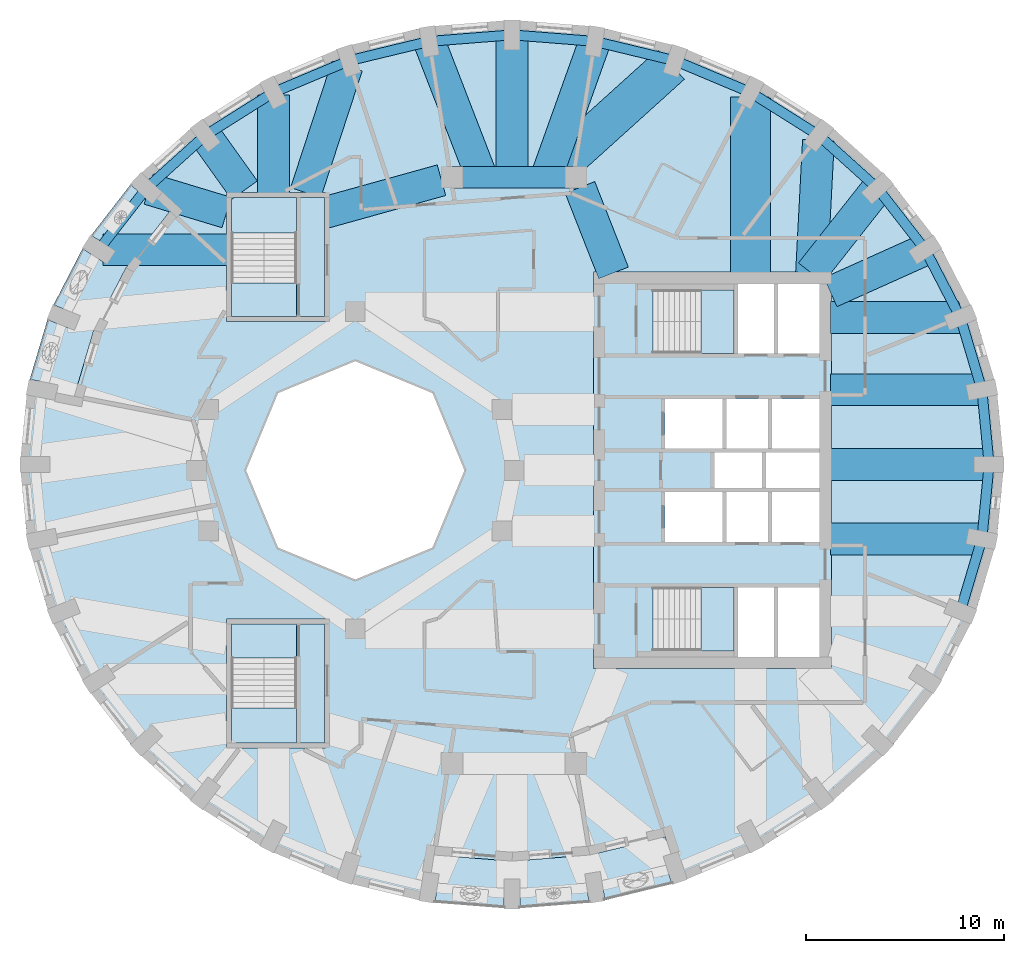
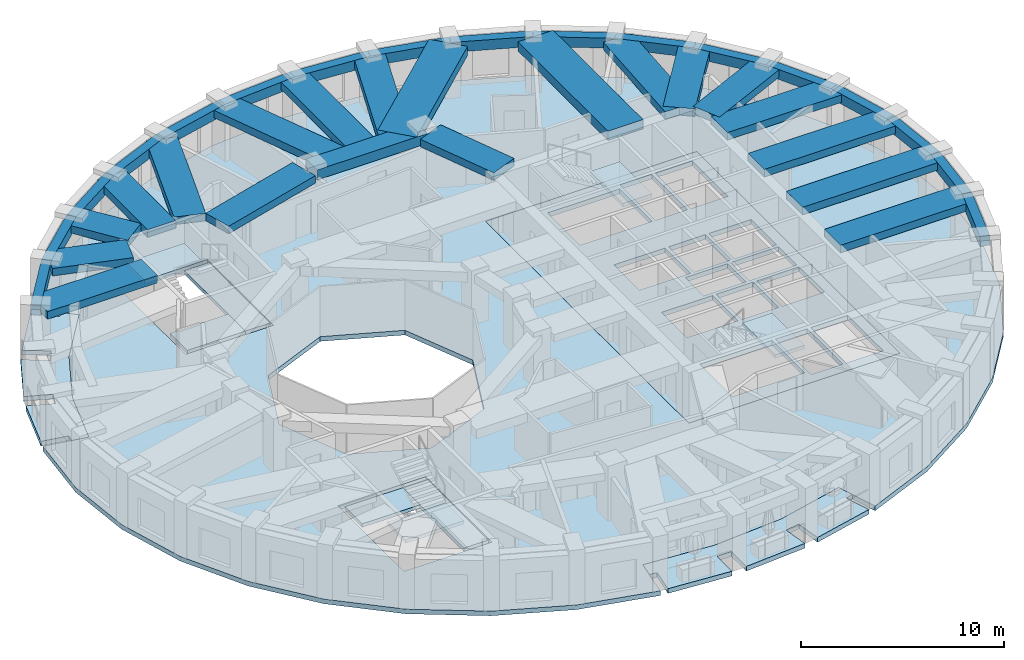
# One storey, part 2 of 12: 37 beams, 12 slabs, 4 elements without a shape of their own.
"""IFC4 building model written with IfcOpenShell, lengths in metres."""

from ifc_helpers import new_model, si_unit, direction, frame, origin, origin_2d, place, context, subcontext, project, spatial, polyline, rectangle, outline, extrude, material, layer, layer_set, material_profile, profile_set, type_object, element, aggregate, save


model = new_model("IFC4")

# Units and contexts
model_context = context("Model", 3, precision=1e-05, world=origin(), true_north=direction((0.0, 1.0)))
body_context = subcontext(model_context, "Body", "Model", "MODEL_VIEW")
ifc_project = project(units=[si_unit("LENGTHUNIT", "METRE"), si_unit("AREAUNIT", "SQUARE_METRE"), si_unit("VOLUMEUNIT", "CUBIC_METRE"), si_unit("PLANEANGLEUNIT", "RADIAN"), si_unit("MASSUNIT", "GRAM", prefix="KILO")], contexts=[model_context])

# Site, building, storey
site_placement = place(None, origin())
site = spatial("IfcSite", under=ifc_project, at=site_placement, CompositionType="ELEMENT")
building_placement = place(site_placement, origin())
building = spatial("IfcBuilding", under=site, at=building_placement, Name="Taillehof Tower", CompositionType="ELEMENT")
storey_placement = place(building_placement, frame((0.0, 0.0, 246.5)))
storey = spatial("IfcBuildingStorey", under=building, at=storey_placement, Name="L70", CompositionType="ELEMENT", Elevation=246.5)

# Beams
ifc_material_1 = material(Name="Concrete C50/60", Category="concrete")
ifc_material_profile_1 = material_profile(ifc_material_1, rectangle(XDim=1.10009765625, YDim=0.60009765625, at=origin_2d()), Name="RC 1100x600")
ifc_profile_set_1 = profile_set([ifc_material_profile_1], Name="Concrete C50/60")
beam_type_1 = type_object("IfcBeamType", Name="Mid-ring beam C50/60 1100x600", PredefinedType="BEAM", material=ifc_profile_set_1)
beam_1_placement = place(storey_placement, frame((3.125732421875, 14.772216796875, 2.719970703125), z_axis=(-1.0, 0.0, 0.0), x_axis=(0.0, -1.0, 0.0)))
element("IfcBeam", 1, at=beam_1_placement, inside=storey, type_object=beam_type_1, Name="Mid-ring beam MB01", PredefinedType="BEAM", context=body_context, shape_type="SweptSolid", body=[
    extrude(rectangle(XDim=1.10009765625, YDim=0.60009765625, at=origin_2d()), origin(), (0.0, 0.0, 1.0), 6.25146484375),
])
ifc_material_2 = material(Name="Concrete C50/60", Category="concrete")
ifc_material_profile_2 = material_profile(ifc_material_2, rectangle(XDim=1.60009765625, YDim=0.449951171875, at=origin_2d()), Name="RC 1600x450")
ifc_profile_set_2 = profile_set([ifc_material_profile_2], Name="Concrete C50/60")
beam_type_2 = type_object("IfcBeamType", Name="Radial band beam C50/60 1600x450", PredefinedType="BEAM", material=ifc_profile_set_2)
beam_2_placement = place(storey_placement, frame((23.949951171875, 0.300048828125, 2.794921875), z_axis=(-1.0, 0.0, 0.0), x_axis=(0.0, -1.0, 0.0)))
element("IfcBeam", 2, at=beam_2_placement, inside=storey, type_object=beam_type_2, Name="Radial band beam RB01", PredefinedType="BEAM", context=body_context, shape_type="SweptSolid", body=[
    extrude(rectangle(XDim=1.60009765625, YDim=0.449951171875, at=origin_2d()), origin(), (0.0, 0.0, 1.0), 8.0),
])
beam_3_placement = place(storey_placement, frame((23.584716796875, 4.0595703125, 2.794921875), z_axis=(-1.0, 0.0, 0.0), x_axis=(0.0, -1.0, 0.0)))
element("IfcBeam", 3, at=beam_3_placement, inside=storey, type_object=beam_type_2, Name="Radial band beam RB02", PredefinedType="BEAM", context=body_context, shape_type="SweptSolid", body=[
    extrude(rectangle(XDim=1.60009765625, YDim=0.449951171875, at=origin_2d()), origin(), (0.0, 0.0, 1.0), 7.634765625),
])
beam_4_placement = place(storey_placement, frame((22.44580078125, 7.704833984375, 2.794921875), z_axis=(-1.0, 0.0, 0.0), x_axis=(0.0, -1.0, 0.0)))
element("IfcBeam", 4, at=beam_4_placement, inside=storey, type_object=beam_type_2, Name="Radial band beam RB03", PredefinedType="BEAM", context=body_context, shape_type="SweptSolid", body=[
    extrude(rectangle(XDim=1.60009765625, YDim=0.449951171875, at=origin_2d()), origin(), (0.0, 0.0, 1.0), 6.495849609375),
])
beam_5_placement = place(storey_placement, frame((20.72802734375, 11.125, 2.794921875), z_axis=(-0.912110813011, -0.409943733685, 0.0), x_axis=(0.409943733685, -0.912110813011, 0.0)))
element("IfcBeam", 5, at=beam_5_placement, inside=storey, type_object=beam_type_2, Name="Radial band beam RB04", PredefinedType="BEAM", context=body_context, shape_type="SweptSolid", body=[
    extrude(rectangle(XDim=1.60009765625, YDim=0.449951171875, at=origin_2d()), origin(), (0.0, 0.0, 1.0), 5.233642578125),
])
beam_6_placement = place(storey_placement, frame((18.323486328125, 14.21630859375, 2.794921875), z_axis=(-0.619052480422, -0.785349620541, 0.0), x_axis=(0.785349620541, -0.619052480422, 0.0)))
element("IfcBeam", 6, at=beam_6_placement, inside=storey, type_object=beam_type_2, Name="Radial band beam RB05", PredefinedType="BEAM", context=body_context, shape_type="SweptSolid", body=[
    extrude(rectangle(XDim=1.60009765625, YDim=0.449951171875, at=origin_2d()), origin(), (0.0, 0.0, 1.0), 5.418701171875),
])
beam_7_placement = place(storey_placement, frame((15.3466796875, 16.645751953125, 2.794921875), z_axis=(-0.052105887855, -0.998641565553, 0.0), x_axis=(0.998641565553, -0.052105887855, 0.0)))
element("IfcBeam", 7, at=beam_7_placement, inside=storey, type_object=beam_type_2, Name="Radial band beam RB06", PredefinedType="BEAM", context=body_context, shape_type="SweptSolid", body=[
    extrude(rectangle(XDim=1.60009765625, YDim=0.449951171875, at=origin_2d()), origin(), (0.0, 0.0, 1.0), 6.704833984375),
])
beam_8_placement = place(storey_placement, frame((4.076171875, 21.62109375, 2.794921875), z_axis=(-0.33687426523, -0.941549642571, 0.0), x_axis=(0.941549642571, -0.33687426523, 0.0)))
element("IfcBeam", 8, at=beam_8_placement, inside=storey, type_object=beam_type_2, Name="Radial band beam RB09", PredefinedType="BEAM", context=body_context, shape_type="SweptSolid", body=[
    extrude(rectangle(XDim=1.60009765625, YDim=0.449951171875, at=origin_2d()), origin(), (0.0, 0.0, 1.0), 7.27392578125),
])
beam_9_placement = place(storey_placement, frame((-0.10009765625, 21.949951171875, 2.794921875), z_axis=(0.0, -1.0, 0.0), x_axis=(1.0, 0.0, 0.0)))
element("IfcBeam", 9, at=beam_9_placement, inside=storey, type_object=beam_type_2, Name="Radial band beam RB10", PredefinedType="BEAM", context=body_context, shape_type="SweptSolid", body=[
    extrude(rectangle(XDim=1.60009765625, YDim=0.449951171875, at=origin_2d()), origin(), (0.0, 0.0, 1.0), 7.177734375),
])
beam_10_placement = place(storey_placement, frame((-4.276123046875, 21.62109375, 2.794921875), z_axis=(0.360900836016, -0.932604196089, 0.0), x_axis=(0.932604196089, 0.360900836016, 0.0)))
element("IfcBeam", 10, at=beam_10_placement, inside=storey, type_object=beam_type_2, Name="Radial band beam RB11", PredefinedType="BEAM", context=body_context, shape_type="SweptSolid", body=[
    extrude(rectangle(XDim=1.60009765625, YDim=0.449951171875, at=origin_2d()), origin(), (0.0, 0.0, 1.0), 7.34375),
])
beam_11_placement = place(storey_placement, frame((-8.41162109375, 20.38134765625, 2.794921875), z_axis=(-0.311042642597, -0.950395956687, 0.0), x_axis=(0.950395956687, -0.311042642597, 0.0)))
element("IfcBeam", 11, at=beam_11_placement, inside=storey, type_object=beam_type_2, Name="Radial band beam RB12", PredefinedType="BEAM", context=body_context, shape_type="SweptSolid", body=[
    extrude(rectangle(XDim=1.60009765625, YDim=0.449951171875, at=origin_2d()), origin(), (0.0, 0.0, 1.0), 6.715576171875),
])
beam_12_placement = place(storey_placement, frame((-12.125, 18.91552734375, 2.794921875), z_axis=(0.0, -1.0, 0.0), x_axis=(1.0, 0.0, 0.0)))
element("IfcBeam", 12, at=beam_12_placement, inside=storey, type_object=beam_type_2, Name="Radial band beam RB13", PredefinedType="BEAM", context=body_context, shape_type="SweptSolid", body=[
    extrude(rectangle(XDim=1.60009765625, YDim=0.449951171875, at=origin_2d()), origin(), (0.0, 0.0, 1.0), 4.965576171875),
])
beam_13_placement = place(storey_placement, frame((-15.55908203125, 16.884765625, 2.794921875), z_axis=(0.580959197129, -0.813932682272, 0.0), x_axis=(0.813932682272, 0.580959197129, 0.0)))
element("IfcBeam", 13, at=beam_13_placement, inside=storey, type_object=beam_type_2, Name="Radial band beam RB14", PredefinedType="BEAM", context=body_context, shape_type="SweptSolid", body=[
    extrude(rectangle(XDim=1.60009765625, YDim=0.449951171875, at=origin_2d()), origin(), (0.0, 0.0, 1.0), 3.394287109375),
])
beam_14_placement = place(storey_placement, frame((-18.413818359375, 14.18310546875, 2.794921875), z_axis=(0.957221394865, -0.289356529584, 0.0), x_axis=(0.289356529584, 0.957221394865, 0.0)))
element("IfcBeam", 14, at=beam_14_placement, inside=storey, type_object=beam_type_2, Name="Radial band beam RB15", PredefinedType="BEAM", context=body_context, shape_type="SweptSolid", body=[
    extrude(rectangle(XDim=1.60009765625, YDim=0.449951171875, at=origin_2d()), origin(), (0.0, 0.0, 1.0), 4.102294921875),
])
beam_15_placement = place(storey_placement, frame((-20.7119140625, 11.125, 2.794921875), z_axis=(1.0, 0.0, 0.0), x_axis=(0.0, 1.0, 0.0)))
element("IfcBeam", 15, at=beam_15_placement, inside=storey, type_object=beam_type_2, Name="Radial band beam RB16", PredefinedType="BEAM", context=body_context, shape_type="SweptSolid", body=[
    extrude(rectangle(XDim=1.60009765625, YDim=0.449951171875, at=origin_2d()), origin(), (0.0, 0.0, 1.0), 6.261962890625),
])
beam_16_placement = place(storey_placement, frame((23.584716796875, -3.45947265625, 2.794921875), z_axis=(-1.0, 0.0, 0.0), x_axis=(0.0, -1.0, 0.0)))
element("IfcBeam", 16, at=beam_16_placement, inside=storey, type_object=beam_type_2, Name="Radial band beam RB36", PredefinedType="BEAM", context=body_context, shape_type="SweptSolid", body=[
    extrude(rectangle(XDim=1.60009765625, YDim=0.449951171875, at=origin_2d()), origin(), (0.0, 0.0, 1.0), 7.634765625),
])
beam_17_placement = place(storey_placement, frame((3.32666015625, 14.26025390625, 2.794921875), z_axis=(0.365588707223, -0.930776502255, 0.0), x_axis=(0.930776502255, 0.365588707223, 0.0)))
element("IfcBeam", 17, at=beam_17_placement, inside=storey, type_object=beam_type_2, Name="Inner band beam IB205", PredefinedType="BEAM", context=body_context, shape_type="SweptSolid", body=[
    extrude(rectangle(XDim=1.60009765625, YDim=0.449951171875, at=origin_2d()), origin(), (0.0, 0.0, 1.0), 4.627197265625),
])
beam_18_placement = place(storey_placement, frame((-3.655517578125, 14.624755859375, 2.794921875), z_axis=(-0.963459369536, -0.267854518821, 0.0), x_axis=(0.267854518821, -0.963459369536, 0.0)))
element("IfcBeam", 18, at=beam_18_placement, inside=storey, type_object=beam_type_2, Name="Inner band beam IB206", PredefinedType="BEAM", context=body_context, shape_type="SweptSolid", body=[
    extrude(rectangle(XDim=1.60009765625, YDim=0.449951171875, at=origin_2d()), origin(), (0.0, 0.0, 1.0), 6.096923828125),
])
ifc_material_3 = material(Name="Concrete C50/60", Category="concrete")
ifc_material_profile_3 = material_profile(ifc_material_3, rectangle(XDim=2.0, YDim=0.550048828125, at=origin_2d()), Name="RC 2000x550")
ifc_profile_set_3 = profile_set([ifc_material_profile_3], Name="Concrete C50/60")
beam_type_3 = type_object("IfcBeamType", Name="Radial band beam C50/60 2000x550", PredefinedType="BEAM", material=ifc_profile_set_3)
beam_19_placement = place(storey_placement, frame((11.925048828125, 18.8115234375, 2.7451171875), z_axis=(0.0, -1.0, 0.0), x_axis=(1.0, 0.0, 0.0)))
element("IfcBeam", 19, at=beam_19_placement, inside=storey, type_object=beam_type_3, Name="Radial band beam RB07", PredefinedType="BEAM", context=body_context, shape_type="SweptSolid", body=[
    extrude(rectangle(XDim=2.0, YDim=0.550048828125, at=origin_2d()), origin(), (0.0, 0.0, 1.0), 8.861572265625),
])
beam_20_placement = place(storey_placement, frame((7.9150390625, 20.4541015625, 2.7451171875), z_axis=(-0.742031364941, -0.670365164253, 0.0), x_axis=(0.670365164253, -0.742031364941, 0.0)))
element("IfcBeam", 20, at=beam_20_placement, inside=storey, type_object=beam_type_3, Name="Radial band beam RB08", PredefinedType="BEAM", context=body_context, shape_type="SweptSolid", body=[
    extrude(rectangle(XDim=2.0, YDim=0.550048828125, at=origin_2d()), origin(), (0.0, 0.0, 1.0), 8.189453125),
])
ifc_material_4 = material(Name="Concrete C50/60", Category="concrete")
ifc_material_profile_4 = material_profile(ifc_material_4, rectangle(XDim=0.5, YDim=0.60009765625, at=origin_2d()), Name="RC 500x600")
ifc_profile_set_4 = profile_set([ifc_material_profile_4], Name="Concrete C50/60")
beam_type_4 = type_object("IfcBeamType", Name="Spandrel beam C50/60 500x600", PredefinedType="SPANDREL", material=ifc_profile_set_4)
beam_21_placement = place(storey_placement, frame((23.949951171875, 0.300048828125, 2.719970703125), z_axis=(-0.096693940319, 0.995314162416, 0.0), x_axis=(-0.995314162416, -0.096693940319, 0.0)))
element("IfcBeam", 21, at=beam_21_placement, inside=storey, type_object=beam_type_4, Name="Spandrel beam SB01", PredefinedType="SPANDREL", context=body_context, shape_type="SweptSolid", body=[
    extrude(rectangle(XDim=0.5, YDim=0.60009765625, at=origin_2d()), origin(), (0.0, 0.0, 1.0), 3.777099609375),
])
beam_22_placement = place(storey_placement, frame((23.584716796875, 4.0595703125, 2.719970703125), z_axis=(-0.285327303248, 0.95843013831, 0.0), x_axis=(-0.95843013831, -0.285327303248, 0.0)))
element("IfcBeam", 22, at=beam_22_placement, inside=storey, type_object=beam_type_4, Name="Spandrel beam SB02", PredefinedType="SPANDREL", context=body_context, shape_type="SweptSolid", body=[
    extrude(rectangle(XDim=0.5, YDim=0.60009765625, at=origin_2d()), origin(), (0.0, 0.0, 1.0), 3.803466796875),
])
beam_23_placement = place(storey_placement, frame((22.49951171875, 7.704833984375, 2.719970703125), z_axis=(-0.45992118545, 0.887959741865, 0.0), x_axis=(-0.887959741865, -0.45992118545, 0.0)))
element("IfcBeam", 23, at=beam_23_placement, inside=storey, type_object=beam_type_4, Name="Spandrel beam SB03", PredefinedType="SPANDREL", context=body_context, shape_type="SweptSolid", body=[
    extrude(rectangle(XDim=0.5, YDim=0.60009765625, at=origin_2d()), origin(), (0.0, 0.0, 1.0), 3.851806640625),
])
beam_24_placement = place(storey_placement, frame((20.72802734375, 11.125, 2.719970703125), z_axis=(-0.613970823209, 0.78932872002, 0.0), x_axis=(-0.78932872002, -0.613970823209, 0.0)))
element("IfcBeam", 24, at=beam_24_placement, inside=storey, type_object=beam_type_4, Name="Spandrel beam SB04", PredefinedType="SPANDREL", context=body_context, shape_type="SweptSolid", body=[
    extrude(rectangle(XDim=0.5, YDim=0.60009765625, at=origin_2d()), origin(), (0.0, 0.0, 1.0), 3.916259765625),
])
beam_25_placement = place(storey_placement, frame((18.323486328125, 14.21630859375, 2.719970703125), z_axis=(-0.743227182134, 0.669039128704, 0.0), x_axis=(-0.669039128704, -0.743227182134, 0.0)))
element("IfcBeam", 25, at=beam_25_placement, inside=storey, type_object=beam_type_4, Name="Spandrel beam SB05", PredefinedType="SPANDREL", context=body_context, shape_type="SweptSolid", body=[
    extrude(rectangle(XDim=0.5, YDim=0.60009765625, at=origin_2d()), origin(), (0.0, 0.0, 1.0), 3.988525390625),
])
beam_26_placement = place(storey_placement, frame((15.359130859375, 16.884765625, 2.719970703125), z_axis=(-0.845944476237, 0.5332709847, 0.0), x_axis=(-0.5332709847, -0.845944476237, 0.0)))
element("IfcBeam", 26, at=beam_26_placement, inside=storey, type_object=beam_type_4, Name="Spandrel beam SB06", PredefinedType="SPANDREL", context=body_context, shape_type="SweptSolid", body=[
    extrude(rectangle(XDim=0.5, YDim=0.60009765625, at=origin_2d()), origin(), (0.0, 0.0, 1.0), 4.0595703125),
])
beam_27_placement = place(storey_placement, frame((11.925048828125, 19.049560546875, 2.719970703125), z_axis=(-0.922076419735, 0.387007850267, 0.0), x_axis=(-0.387007850267, -0.922076419735, 0.0)))
element("IfcBeam", 27, at=beam_27_placement, inside=storey, type_object=beam_type_4, Name="Spandrel beam SB07", PredefinedType="SPANDREL", context=body_context, shape_type="SweptSolid", body=[
    extrude(rectangle(XDim=0.5, YDim=0.60009765625, at=origin_2d()), origin(), (0.0, 0.0, 1.0), 4.12060546875),
])
beam_28_placement = place(storey_placement, frame((8.12548828125, 20.644287109375, 2.719970703125), z_axis=(-0.972115850295, 0.234501116425, 0.0), x_axis=(-0.234501116425, -0.972115850295, 0.0)))
element("IfcBeam", 28, at=beam_28_placement, inside=storey, type_object=beam_type_4, Name="Spandrel beam SB08", PredefinedType="SPANDREL", context=body_context, shape_type="SweptSolid", body=[
    extrude(rectangle(XDim=0.5, YDim=0.60009765625, at=origin_2d()), origin(), (0.0, 0.0, 1.0), 4.16552734375),
])
beam_29_placement = place(storey_placement, frame((4.076171875, 21.62109375, 2.719970703125), z_axis=(-0.996914011582, 0.078501296247, 0.0), x_axis=(-0.078501296247, -0.996914011582, 0.0)))
element("IfcBeam", 29, at=beam_29_placement, inside=storey, type_object=beam_type_4, Name="Spandrel beam SB09", PredefinedType="SPANDREL", context=body_context, shape_type="SweptSolid", body=[
    extrude(rectangle(XDim=0.5, YDim=0.60009765625, at=origin_2d()), origin(), (0.0, 0.0, 1.0), 4.189208984375),
])
beam_30_placement = place(storey_placement, frame((-0.10009765625, 21.949951171875, 2.719970703125), z_axis=(-0.996913652411, -0.07850585734, 0.0), x_axis=(0.07850585734, -0.996913652411, 0.0)))
element("IfcBeam", 30, at=beam_30_placement, inside=storey, type_object=beam_type_4, Name="Spandrel beam SB10", PredefinedType="SPANDREL", context=body_context, shape_type="SweptSolid", body=[
    extrude(rectangle(XDim=0.5, YDim=0.60009765625, at=origin_2d()), origin(), (0.0, 0.0, 1.0), 4.18896484375),
])
beam_31_placement = place(storey_placement, frame((-4.276123046875, 21.62109375, 2.719970703125), z_axis=(-0.972119073064, -0.234487756154, 0.0), x_axis=(0.234487756154, -0.972119073064, 0.0)))
element("IfcBeam", 31, at=beam_31_placement, inside=storey, type_object=beam_type_4, Name="Spandrel beam SB11", PredefinedType="SPANDREL", context=body_context, shape_type="SweptSolid", body=[
    extrude(rectangle(XDim=0.5, YDim=0.60009765625, at=origin_2d()), origin(), (0.0, 0.0, 1.0), 4.165771484375),
])
beam_32_placement = place(storey_placement, frame((-8.32568359375, 20.644287109375, 2.719970703125), z_axis=(-0.922067545136, -0.387028994013, 0.0), x_axis=(0.387028994013, -0.922067545136, 0.0)))
element("IfcBeam", 32, at=beam_32_placement, inside=storey, type_object=beam_type_4, Name="Spandrel beam SB12", PredefinedType="SPANDREL", context=body_context, shape_type="SweptSolid", body=[
    extrude(rectangle(XDim=0.5, YDim=0.60009765625, at=origin_2d()), origin(), (0.0, 0.0, 1.0), 4.120361328125),
])
beam_33_placement = place(storey_placement, frame((-12.125, 19.049560546875, 2.719970703125), z_axis=(-0.845944476237, -0.5332709847, 0.0), x_axis=(0.5332709847, -0.845944476237, 0.0)))
element("IfcBeam", 33, at=beam_33_placement, inside=storey, type_object=beam_type_4, Name="Spandrel beam SB13", PredefinedType="SPANDREL", context=body_context, shape_type="SweptSolid", body=[
    extrude(rectangle(XDim=0.5, YDim=0.60009765625, at=origin_2d()), origin(), (0.0, 0.0, 1.0), 4.0595703125),
])
beam_34_placement = place(storey_placement, frame((-15.55908203125, 16.884765625, 2.719970703125), z_axis=(-0.743227182134, -0.669039128704, 0.0), x_axis=(0.669039128704, -0.743227182134, 0.0)))
element("IfcBeam", 34, at=beam_34_placement, inside=storey, type_object=beam_type_4, Name="Spandrel beam SB14", PredefinedType="SPANDREL", context=body_context, shape_type="SweptSolid", body=[
    extrude(rectangle(XDim=0.5, YDim=0.60009765625, at=origin_2d()), origin(), (0.0, 0.0, 1.0), 3.988525390625),
])
beam_35_placement = place(storey_placement, frame((-18.5234375, 14.21630859375, 2.719970703125), z_axis=(-0.613970823209, -0.78932872002, 0.0), x_axis=(0.78932872002, -0.613970823209, 0.0)))
element("IfcBeam", 35, at=beam_35_placement, inside=storey, type_object=beam_type_4, Name="Spandrel beam SB15", PredefinedType="SPANDREL", context=body_context, shape_type="SweptSolid", body=[
    extrude(rectangle(XDim=0.5, YDim=0.60009765625, at=origin_2d()), origin(), (0.0, 0.0, 1.0), 3.916259765625),
])
beam_36_placement = place(storey_placement, frame((22.49951171875, -7.104736328125, 2.719970703125), z_axis=(0.285327303248, 0.95843013831, 0.0), x_axis=(-0.95843013831, 0.285327303248, 0.0)))
element("IfcBeam", 36, at=beam_36_placement, inside=storey, type_object=beam_type_4, Name="Spandrel beam SB35", PredefinedType="SPANDREL", context=body_context, shape_type="SweptSolid", body=[
    extrude(rectangle(XDim=0.5, YDim=0.60009765625, at=origin_2d()), origin(), (0.0, 0.0, 1.0), 3.803466796875),
])
beam_37_placement = place(storey_placement, frame((23.584716796875, -3.45947265625, 2.719970703125), z_axis=(0.096693940319, 0.995314162416, 0.0), x_axis=(-0.995314162416, 0.096693940319, 0.0)))
element("IfcBeam", 37, at=beam_37_placement, inside=storey, type_object=beam_type_4, Name="Spandrel beam SB36", PredefinedType="SPANDREL", context=body_context, shape_type="SweptSolid", body=[
    extrude(rectangle(XDim=0.5, YDim=0.60009765625, at=origin_2d()), origin(), (0.0, 0.0, 1.0), 3.777099609375),
])

# Slabs
ifc_material_5 = material(Name="Concrete C40/50", Category="concrete")
ifc_layer_1 = layer(ifc_material_5, 0.280029296875)
ifc_layer_set_1 = layer_set([ifc_layer_1], Name="Balcony slab 280")
slab_type_1 = type_object("IfcSlabType", Name="Balcony slab 280", PredefinedType="USERDEFINED", material=ifc_layer_set_1)
slab_1_placement = place(storey_placement, frame((0.0, 0.0, -0.280029296875)))
element("IfcSlab", 38, at=slab_1_placement, inside=storey, type_object=slab_type_1, Name="Balcony L70 pocket 8", ObjectType="BALCONY", PredefinedType="USERDEFINED", context=body_context, shape_type="SweptSolid", body=[
    extrude(outline(polyline([(7.632568359375, -18.46923828125), (7.913818359375, -19.324462890625), (7.511474609375, -19.456787109375), (7.968994140625, -20.84912109375), (4.584228515625, -21.668212890625), (4.353271484375, -20.217529296875), (3.563232421875, -20.34326171875), (3.7939453125, -21.792236328125), (0.300048828125, -22.068359375), (0.300048828125, -20.60009765625), (-0.5, -20.60009765625), (-0.5, -22.068359375), (-3.994140625, -21.792236328125), (-3.76318359375, -20.34326171875), (-4.170654296875, -20.278564453125), (-4.029052734375, -19.3896484375), (-0.10009765625, -19.699951171875), (3.8291015625, -19.3896484375), (7.632568359375, -18.46923828125)])), origin(), (0.0, 0.0, 1.0), 0.280029296875),
])
slab_2_placement = place(storey_placement, frame((0.0, 0.0, -0.280029296875)))
element("IfcSlab", 39, at=slab_2_placement, inside=storey, type_object=slab_type_1, Name="Balcony L70 pocket 4", ObjectType="BALCONY", PredefinedType="USERDEFINED", context=body_context, shape_type="SweptSolid", body=[
    extrude(outline(polyline([(-22.167724609375, 3.72998046875), (-23.051025390625, 3.90234375), (-22.971923828125, 4.308349609375), (-24.405029296875, 4.588134765625), (-23.511474609375, 7.6005859375), (-22.153564453125, 7.053466796875), (-21.8544921875, 7.79541015625), (-23.208251953125, 8.341064453125), (-21.74609375, 11.17333984375), (-20.511474609375, 10.384033203125), (-20.08056640625, 11.05810546875), (-21.310546875, 11.84423828125), (-19.320556640625, 14.4111328125), (-18.24609375, 13.412841796875), (-17.999755859375, 13.67822265625), (-17.339599609375, 13.06494140625), (-19.55517578125, 10.20751953125), (-21.17822265625, 7.064208984375), (-22.167724609375, 3.72998046875)])), origin(), (0.0, 0.0, 1.0), 0.280029296875),
])
ifc_material_6 = material(Name="Concrete C40/50", Category="concrete")
ifc_layer_2 = layer(ifc_material_6, 0.280029296875)
ifc_layer_set_2 = layer_set([ifc_layer_2], Name="Core floor slab C40/50 280")
slab_type_2 = type_object("IfcSlabType", Name="Core floor slab C40/50 280", PredefinedType="FLOOR", material=ifc_layer_set_2)
slab_3_placement = place(storey_placement, frame((0.0, 0.0, -0.280029296875)))
element("IfcSlab", 40, at=slab_3_placement, inside=storey, type_object=slab_type_2, Name="Core floor L70", PredefinedType="FLOOR", context=body_context, shape_type="SweptSolid", body=[
    extrude(outline(polyline([(4.0, -10.0), (4.0, 10.0), (16.0, 10.0), (16.0, -10.0), (4.0, -10.0)]), holes=[polyline([(11.10009765625, -9.10009765625), (11.10009765625, -5.89990234375), (7.00048828125, -5.89990234375), (7.00048828125, -9.10009765625), (11.10009765625, -9.10009765625)]), polyline([(10.5, -3.60009765625), (10.5, -1.10009765625), (7.60009765625, -1.10009765625), (7.60009765625, -3.60009765625), (10.5, -3.60009765625)]), polyline([(12.800048828125, -3.60009765625), (12.800048828125, -1.10009765625), (10.699951171875, -1.10009765625), (10.699951171875, -3.60009765625), (12.800048828125, -3.60009765625)]), polyline([(12.5, -0.89990234375), (12.5, 0.89990234375), (10.10009765625, 0.89990234375), (10.10009765625, -0.89990234375), (12.5, -0.89990234375)]), polyline([(10.5, 1.10009765625), (10.5, 3.60009765625), (7.60009765625, 3.60009765625), (7.60009765625, 1.10009765625), (10.5, 1.10009765625)]), polyline([(12.800048828125, 1.10009765625), (12.800048828125, 3.60009765625), (10.699951171875, 3.60009765625), (10.699951171875, 1.10009765625), (12.800048828125, 1.10009765625)]), polyline([(11.10009765625, 5.89990234375), (11.10009765625, 9.10009765625), (7.00048828125, 9.10009765625), (7.00048828125, 5.89990234375), (11.10009765625, 5.89990234375)]), polyline([(13.10009765625, -5.89990234375), (11.300048828125, -5.89990234375), (11.300048828125, -9.39990234375), (13.10009765625, -9.39990234375), (13.10009765625, -5.89990234375)]), polyline([(15.39990234375, -9.39990234375), (15.39990234375, -5.89990234375), (13.300048828125, -5.89990234375), (13.300048828125, -9.39990234375), (15.39990234375, -9.39990234375)]), polyline([(15.39990234375, -3.60009765625), (15.39990234375, -1.10009765625), (13.0, -1.10009765625), (13.0, -3.60009765625), (15.39990234375, -3.60009765625)]), polyline([(15.39990234375, -0.89990234375), (15.39990234375, 0.89990234375), (12.699951171875, 0.89990234375), (12.699951171875, -0.89990234375), (15.39990234375, -0.89990234375)]), polyline([(15.39990234375, 1.10009765625), (15.39990234375, 3.60009765625), (13.0, 3.60009765625), (13.0, 1.10009765625), (15.39990234375, 1.10009765625)]), polyline([(13.10009765625, 5.89990234375), (13.10009765625, 9.39990234375), (11.300048828125, 9.39990234375), (11.300048828125, 5.89990234375), (13.10009765625, 5.89990234375)]), polyline([(15.39990234375, 5.89990234375), (15.39990234375, 9.39990234375), (13.300048828125, 9.39990234375), (13.300048828125, 5.89990234375), (15.39990234375, 5.89990234375)])]), origin(), (0.0, 0.0, 1.0), 0.280029296875),
])
ifc_material_7 = material(Name="Concrete C40/50", Category="concrete")
ifc_layer_3 = layer(ifc_material_7, 0.280029296875)
ifc_layer_set_3 = layer_set([ifc_layer_3], Name="Floor slab 280")
slab_type_3 = type_object("IfcSlabType", Name="Floor slab 280", PredefinedType="FLOOR", material=ifc_layer_set_3)
slab_4_placement = place(storey_placement, frame((0.0, 0.0, -0.280029296875)))
element("IfcSlab", 41, at=slab_4_placement, inside=storey, type_object=slab_type_3, Name="Floor slab L70", PredefinedType="FLOOR", context=body_context, shape_type="SweptSolid", body=[
    extrude(outline(polyline([(24.699951171875, 0.300048828125), (24.3232421875, 4.189697265625), (23.204345703125, 7.961181640625), (21.37744140625, 11.5), (18.89794921875, 14.698486328125), (15.841064453125, 17.45947265625), (12.300048828125, 19.698974609375), (8.382080078125, 21.34912109375), (4.20654296875, 22.359619140625), (-0.10009765625, 22.699951171875), (-4.406494140625, 22.359619140625), (-8.58203125, 21.34912109375), (-12.5, 19.698974609375), (-16.041015625, 17.45947265625), (-19.097900390625, 14.698486328125), (-17.339599609375, 13.06494140625), (-19.555419921875, 10.20751953125), (-21.17822265625, 7.064208984375), (-22.167724609375, 3.72998046875), (-24.523193359375, 4.189697265625), (-24.89990234375, 0.300048828125), (-24.523193359375, -3.589599609375), (-23.404296875, -7.361328125), (-21.577392578125, -10.89990234375), (-19.097900390625, -14.098388671875), (-16.041015625, -16.859375), (-12.5, -19.09912109375), (-8.58203125, -20.7490234375), (-4.406494140625, -21.759765625), (-4.029052734375, -19.3896484375), (-0.10009765625, -19.699951171875), (3.8291015625, -19.3896484375), (7.632568359375, -18.46923828125), (8.382080078125, -20.7490234375), (12.300048828125, -19.09912109375), (15.841064453125, -16.859375), (18.89794921875, -14.098388671875), (21.37744140625, -10.89990234375), (23.204345703125, -7.361328125), (24.3232421875, -3.589599609375), (24.699951171875, 0.300048828125)]), holes=[polyline([(-14.5, -7.5), (-9.5, -7.5), (-9.5, -14.0), (-14.5, -14.0), (-14.5, -7.5)]), polyline([(-8.0, -5.5), (-11.88916015625, -3.88916015625), (-13.5, 0.0), (-11.88916015625, 3.88916015625), (-8.0, 5.5), (-4.11083984375, 3.88916015625), (-2.5, 0.0), (-4.11083984375, -3.88916015625), (-8.0, -5.5)]), polyline([(16.0, 10.0), (16.0, -10.0), (4.0, -10.0), (4.0, 10.0), (16.0, 10.0)]), polyline([(-14.5, 14.0), (-9.5, 14.0), (-9.5, 7.5), (-14.5, 7.5), (-14.5, 14.0)])]), origin(), (0.0, 0.0, 1.0), 0.280029296875),
])

# Stair, slab
ifc_material_8 = material(Name="Concrete C40/50", Category="concrete")
stair_type = type_object("IfcStairType", Name="Exit stair half-turn", PredefinedType="HALF_TURN_STAIR", material=ifc_material_8)
stair_1_placement = place(storey_placement, origin())
stair_1 = element("IfcStair", 42, at=stair_1_placement, inside=storey, type_object=stair_type, Name="Exit stair S1", PredefinedType="HALF_TURN_STAIR")
ifc_material_9 = material(Name="Concrete C40/50", Category="concrete")
ifc_layer_4 = layer(ifc_material_9, 0.2099609375)
ifc_layer_set_4 = layer_set([ifc_layer_4], Name="Stair landing C40/50 210")
slab_type_4 = type_object("IfcSlabType", Name="Stair landing C40/50 210", PredefinedType="LANDING", material=ifc_layer_set_4)
slab_5_placement = place(storey_placement, frame((0.0, 0.0, 1.43994140625)))
slab_5 = element("IfcSlab", 43, at=slab_5_placement, type_object=slab_type_4, Name="S1 landing 1", PredefinedType="LANDING", context=body_context, shape_type="SweptSolid", body=[
    extrude(outline(polyline([(9.429931640625, 5.89990234375), (11.10009765625, 5.89990234375), (11.10009765625, 9.10009765625), (9.429931640625, 9.10009765625), (9.429931640625, 5.89990234375)])), origin(), (0.0, 0.0, 1.0), 0.2099609375),
])
aggregate(stair_1, [slab_5])

stair_2_placement = place(storey_placement, origin())
stair_2 = element("IfcStair", 44, at=stair_2_placement, inside=storey, type_object=stair_type, Name="Exit stair S2", PredefinedType="HALF_TURN_STAIR")
slab_6_placement = place(storey_placement, frame((0.0, 0.0, 1.43994140625)))
slab_6 = element("IfcSlab", 45, at=slab_6_placement, type_object=slab_type_4, Name="S2 landing 1", PredefinedType="LANDING", context=body_context, shape_type="SweptSolid", body=[
    extrude(outline(polyline([(9.429931640625, -5.89990234375), (11.10009765625, -5.89990234375), (11.10009765625, -9.10009765625), (9.429931640625, -9.10009765625), (9.429931640625, -5.89990234375)])), origin(), (0.0, 0.0, 1.0), 0.2099609375),
])
aggregate(stair_2, [slab_6])

stair_3_placement = place(storey_placement, origin())
stair_3 = element("IfcStair", 46, at=stair_3_placement, inside=storey, type_object=stair_type, Name="Exit stair S3", PredefinedType="HALF_TURN_STAIR")
slab_7_placement = place(storey_placement, frame((0.0, 0.0, 1.43994140625)))
slab_7 = element("IfcSlab", 47, at=slab_7_placement, type_object=slab_type_4, Name="S3 landing 1", PredefinedType="LANDING", context=body_context, shape_type="SweptSolid", body=[
    extrude(outline(polyline([(-14.25, 11.969970703125), (-14.25, 13.75), (-10.949951171875, 13.75), (-10.949951171875, 11.969970703125), (-14.25, 11.969970703125)])), origin(), (0.0, 0.0, 1.0), 0.2099609375),
])
aggregate(stair_3, [slab_7])

stair_4_placement = place(storey_placement, origin())
stair_4 = element("IfcStair", 48, at=stair_4_placement, inside=storey, type_object=stair_type, Name="Exit stair S4", PredefinedType="HALF_TURN_STAIR")
slab_8_placement = place(storey_placement, frame((0.0, 0.0, 1.43994140625)))
slab_8 = element("IfcSlab", 49, at=slab_8_placement, type_object=slab_type_4, Name="S4 landing 1", PredefinedType="LANDING", context=body_context, shape_type="SweptSolid", body=[
    extrude(outline(polyline([(-14.25, -11.969970703125), (-14.25, -13.75), (-10.949951171875, -13.75), (-10.949951171875, -11.969970703125), (-14.25, -11.969970703125)])), origin(), (0.0, 0.0, 1.0), 0.2099609375),
])
aggregate(stair_4, [slab_8])

# Slabs
slab_9_placement = place(storey_placement, frame((0.0, 0.0, -0.2099609375)))
element("IfcSlab", 50, at=slab_9_placement, inside=storey, type_object=slab_type_4, Name="Stair S3 floor landing", PredefinedType="LANDING", context=body_context, shape_type="SweptSolid", body=[
    extrude(outline(polyline([(-14.25, 7.75), (-14.25, 9.449951171875), (-10.949951171875, 9.449951171875), (-10.949951171875, 7.75), (-14.25, 7.75)])), origin(), (0.0, 0.0, 1.0), 0.2099609375),
])
slab_10_placement = place(storey_placement, frame((0.0, 0.0, -0.2099609375)))
element("IfcSlab", 51, at=slab_10_placement, inside=storey, type_object=slab_type_4, Name="Stair lobby S3 floor", PredefinedType="LANDING", context=body_context, shape_type="SweptSolid", body=[
    extrude(outline(polyline([(-10.949951171875, 7.75), (-9.550048828125, 7.75), (-9.550048828125, 13.75), (-10.949951171875, 13.75), (-10.949951171875, 7.75)])), origin(), (0.0, 0.0, 1.0), 0.2099609375),
])
slab_11_placement = place(storey_placement, frame((0.0, 0.0, -0.2099609375)))
element("IfcSlab", 52, at=slab_11_placement, inside=storey, type_object=slab_type_4, Name="Stair S4 floor landing", PredefinedType="LANDING", context=body_context, shape_type="SweptSolid", body=[
    extrude(outline(polyline([(-14.25, -7.75), (-14.25, -9.449951171875), (-10.949951171875, -9.449951171875), (-10.949951171875, -7.75), (-14.25, -7.75)])), origin(), (0.0, 0.0, 1.0), 0.2099609375),
])
slab_12_placement = place(storey_placement, frame((0.0, 0.0, -0.2099609375)))
element("IfcSlab", 53, at=slab_12_placement, inside=storey, type_object=slab_type_4, Name="Stair lobby S4 floor", PredefinedType="LANDING", context=body_context, shape_type="SweptSolid", body=[
    extrude(outline(polyline([(-10.949951171875, -13.75), (-9.550048828125, -13.75), (-9.550048828125, -7.75), (-10.949951171875, -7.75), (-10.949951171875, -13.75)])), origin(), (0.0, 0.0, 1.0), 0.2099609375),
])

save(model, "model.ifc")
